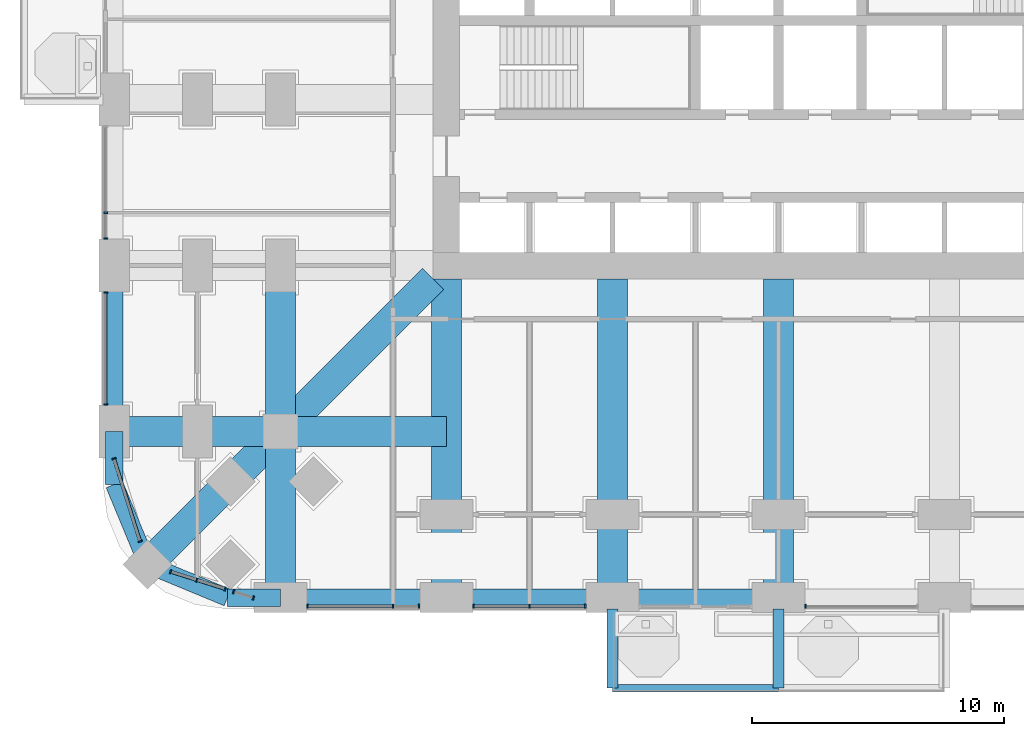
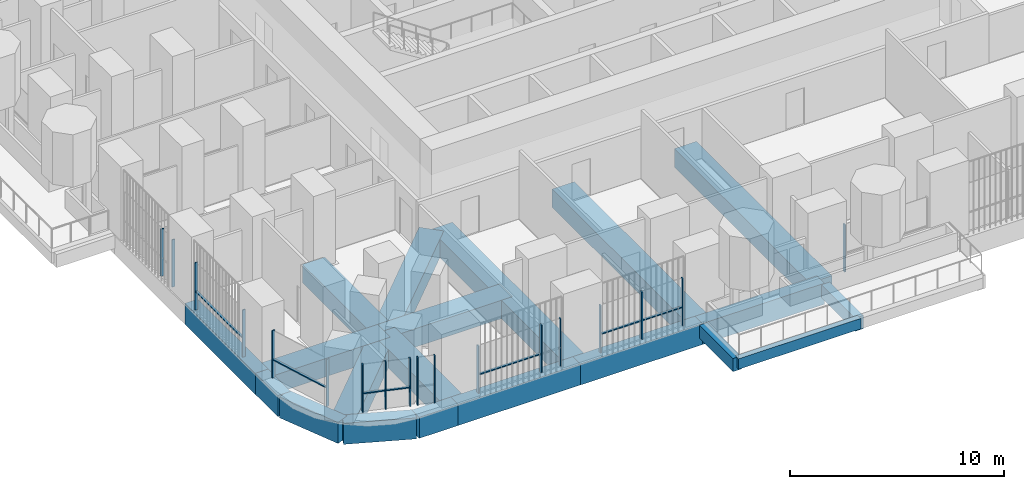
# One storey, part 2 of 26: 25 members, 20 beams, 8 elements without a shape of their own.
"""IFC4 building model written with IfcOpenShell, lengths in metres."""

from ifc_helpers import new_model, si_unit, direction, frame, origin, origin_2d, place, context, subcontext, project, spatial, rectangle, extrude, material, material_profile, profile_set, type_object, element, aggregate, save


model = new_model("IFC4")

# Units and contexts
model_context = context("Model", 3, precision=1e-05, world=origin(), true_north=direction((0.0, 1.0)))
body_context = subcontext(model_context, "Body", "Model", "MODEL_VIEW")
ifc_project = project(units=[si_unit("LENGTHUNIT", "METRE"), si_unit("AREAUNIT", "SQUARE_METRE"), si_unit("VOLUMEUNIT", "CUBIC_METRE"), si_unit("PLANEANGLEUNIT", "RADIAN"), si_unit("MASSUNIT", "GRAM", prefix="KILO")], contexts=[model_context])

# Site, building, storey
site_placement = place(None, origin())
site = spatial("IfcSite", under=ifc_project, at=site_placement, CompositionType="ELEMENT")
building_placement = place(site_placement, origin())
building = spatial("IfcBuilding", under=site, at=building_placement, Name="Cobogo Forest Laboratory Tower", CompositionType="ELEMENT")
storey_placement = place(building_placement, frame((0.0, 0.0, 33.89990234375)))
storey = spatial("IfcBuildingStorey", under=building, at=storey_placement, Name="L07", CompositionType="ELEMENT", Elevation=33.89990234375)

# Beams
ifc_material_1 = material(Name="Concrete HA-40 (C40/50)", Category="concrete")
ifc_material_profile_1 = material_profile(ifc_material_1, rectangle(XDim=0.449951171875, YDim=0.75, at=origin_2d()), Name="RC 450x750")
ifc_profile_set_1 = profile_set([ifc_material_profile_1], Name="Concrete HA-40 (C40/50)")
beam_type_1 = type_object("IfcBeamType", Name="Balcony cantilever beam 450x750", PredefinedType="BEAM", material=ifc_profile_set_1)
for number, where, z_axis, x_axis, name in (
    (1, (19.800048828125, -0.449951171875, -0.625), (0.0, -1.0, 0.0), (1.0, 0.0, 0.0), "CB1 BAL-S1-C1 L07"),
    (2, (26.39990234375, -0.449951171875, -0.625), (0.0, -1.0, 0.0), (1.0, 0.0, 0.0), "CB1 BAL-S1-C2 L07"),
):
    element("IfcBeam", number, at=place(storey_placement, frame(where, z_axis=z_axis, x_axis=x_axis)), inside=storey, type_object=beam_type_1, Name=name, PredefinedType="BEAM", context=body_context, shape_type="SweptSolid", body=[
        extrude(rectangle(XDim=0.449951171875, YDim=0.75, at=origin_2d()), origin(), (0.0, 0.0, 1.0), 3.150146484375),
    ])
ifc_material_profile_2 = material_profile(ifc_material_1, rectangle(XDim=0.300048828125, YDim=0.60009765625, at=origin_2d()), Name="RC 300x600")
ifc_profile_set_2 = profile_set([ifc_material_profile_2], Name="Concrete HA-40 (C40/50)")
beam_type_2 = type_object("IfcBeamType", Name="Balcony edge beam 300x600", PredefinedType="BEAM", material=ifc_profile_set_2)
beam_1_placement = place(storey_placement, frame((19.800048828125, -3.60009765625, -0.5498046875), z_axis=(1.0, 0.0, 0.0), x_axis=(0.0, 1.0, 0.0)))
element("IfcBeam", 3, at=beam_1_placement, inside=storey, type_object=beam_type_2, Name="BB1 BAL-S1-T1 L07", PredefinedType="BEAM", context=body_context, shape_type="SweptSolid", body=[
    extrude(rectangle(XDim=0.300048828125, YDim=0.60009765625, at=origin_2d()), origin(), (0.0, 0.0, 1.0), 6.599853515625),
])
ifc_material_profile_3 = material_profile(ifc_material_1, rectangle(XDim=1.199951171875, YDim=1.050048828125, at=origin_2d()), Name="RC 1200x1050")
ifc_profile_set_3 = profile_set([ifc_material_profile_3], Name="Concrete HA-40 (C40/50)")
beam_type_3 = type_object("IfcBeamType", Name="Laboratory floor wide beam 1200x1050", PredefinedType="BEAM", material=ifc_profile_set_3)
for number, where, z_axis, x_axis, name in (
    (4, (13.199951171875, 12.675048828125, -0.824951171875), (0.0, -1.0, 0.0), (1.0, 0.0, 0.0), "RB1 R-3-S L07"),
    (5, (19.800048828125, 12.675048828125, -0.824951171875), (0.0, -1.0, 0.0), (1.0, 0.0, 0.0), "RB1 R-4-S L07"),
    (6, (26.39990234375, 12.675048828125, -0.824951171875), (0.0, -1.0, 0.0), (1.0, 0.0, 0.0), "RB1 R-5-S L07"),
):
    element("IfcBeam", number, at=place(storey_placement, frame(where, z_axis=z_axis, x_axis=x_axis)), inside=storey, type_object=beam_type_3, Name=name, PredefinedType="BEAM", context=body_context, shape_type="SweptSolid", body=[
        extrude(rectangle(XDim=1.199951171875, YDim=1.050048828125, at=origin_2d()), origin(), (0.0, 0.0, 1.0), 12.675048828125),
    ])
beam_2_placement = place(storey_placement, frame((6.60009765625, 0.0, -0.824951171875), z_axis=(0.0, 1.0, 0.0), x_axis=(-1.0, 0.0, 0.0)))
element("IfcBeam", 7, at=beam_2_placement, inside=storey, type_object=beam_type_3, Name="RB1 G-SW-XF L07", PredefinedType="BEAM", context=body_context, shape_type="SweptSolid", body=[
    extrude(rectangle(XDim=1.199951171875, YDim=1.050048828125, at=origin_2d()), origin(), (0.0, 0.0, 1.0), 6.60009765625),
])
beam_3_placement = place(storey_placement, frame((6.60009765625, 6.60009765625, -0.824951171875), z_axis=(0.0, 1.0, 0.0), x_axis=(-1.0, 0.0, 0.0)))
element("IfcBeam", 8, at=beam_3_placement, inside=storey, type_object=beam_type_3, Name="RB1 G-SW-XC L07", PredefinedType="BEAM", context=body_context, shape_type="SweptSolid", body=[
    extrude(rectangle(XDim=1.199951171875, YDim=1.050048828125, at=origin_2d()), origin(), (0.0, 0.0, 1.0), 6.599853515625),
])
beam_4_placement = place(storey_placement, frame((0.0, 6.60009765625, -0.824951171875), z_axis=(1.0, 0.0, 0.0), x_axis=(0.0, 1.0, 0.0)))
element("IfcBeam", 9, at=beam_4_placement, inside=storey, type_object=beam_type_3, Name="RB1 G-SW-YF L07", PredefinedType="BEAM", context=body_context, shape_type="SweptSolid", body=[
    extrude(rectangle(XDim=1.199951171875, YDim=1.050048828125, at=origin_2d()), origin(), (0.0, 0.0, 1.0), 6.60009765625),
])
beam_5_placement = place(storey_placement, frame((6.60009765625, 6.60009765625, -0.824951171875), z_axis=(1.0, 0.0, 0.0), x_axis=(0.0, 1.0, 0.0)))
element("IfcBeam", 10, at=beam_5_placement, inside=storey, type_object=beam_type_3, Name="RB1 G-SW-YC L07", PredefinedType="BEAM", context=body_context, shape_type="SweptSolid", body=[
    extrude(rectangle(XDim=1.199951171875, YDim=1.050048828125, at=origin_2d()), origin(), (0.0, 0.0, 1.0), 6.599853515625),
])
beam_6_placement = place(storey_placement, frame((1.318115234375, 1.318115234375, -0.824951171875), z_axis=(0.707106781187, 0.707106781187, 0.0), x_axis=(-0.707106781187, 0.707106781187, 0.0)))
element("IfcBeam", 11, at=beam_6_placement, inside=storey, type_object=beam_type_3, Name="RB1 G-SW-D1 L07", PredefinedType="BEAM", context=body_context, shape_type="SweptSolid", body=[
    extrude(rectangle(XDim=1.199951171875, YDim=1.050048828125, at=origin_2d()), origin(), (0.0, 0.0, 1.0), 7.469970703125),
])
beam_7_placement = place(storey_placement, frame((6.60009765625, 6.60009765625, -0.824951171875), z_axis=(0.707106781187, 0.707106781187, 0.0), x_axis=(-0.707106781187, 0.707106781187, 0.0)))
element("IfcBeam", 12, at=beam_7_placement, inside=storey, type_object=beam_type_3, Name="RB1 G-SW-D2 L07", PredefinedType="BEAM", context=body_context, shape_type="SweptSolid", body=[
    extrude(rectangle(XDim=1.199951171875, YDim=1.050048828125, at=origin_2d()), origin(), (0.0, 0.0, 1.0), 8.59130859375),
])

# Curtain wall, members
ifc_material_2 = material(Name="Aluminium curtain wall", Category="aluminium")
curtain_wall_type = type_object("IfcCurtainWallType", Name="CW-1 unitised curtain wall, clear glazing, laboratory floors zones A and B", PredefinedType="USERDEFINED", material=ifc_material_2)
curtain_wall_1_placement = place(storey_placement, origin())
curtain_wall_1 = element("IfcCurtainWall", 13, at=curtain_wall_1_placement, inside=storey, type_object=curtain_wall_type, Name="Curtain wall 01 L07", ObjectType="UNITISED CURTAIN WALL", PredefinedType="USERDEFINED")
ifc_material_3 = material(Name="Aluminium mullion", Category="aluminium")
ifc_material_profile_4 = material_profile(ifc_material_3, rectangle(XDim=0.06005859375, YDim=0.159912109375, at=origin_2d()), Name="AL 60x160")
ifc_profile_set_4 = profile_set([ifc_material_profile_4], Name="Aluminium mullion")
member_type_1 = type_object("IfcMemberType", Name="MU-1 aluminium mullion 60x160", PredefinedType="MULLION", material=ifc_profile_set_4)
member_1_placement = place(storey_placement, frame((7.679931640625, -0.35009765625, 0.0), z_axis=(0.0, 0.0, 1.0), x_axis=(1.0, 0.0, 0.0)))
member_1 = element("IfcMember", 14, at=member_1_placement, type_object=member_type_1, Name="CW-1 mullion 1", PredefinedType="MULLION", context=body_context, shape_type="SweptSolid", body=[
    extrude(rectangle(XDim=0.06005859375, YDim=0.159912109375, at=origin_2d()), origin(), (0.0, 0.0, 1.0), 2.7001953125),
])
member_2_placement = place(storey_placement, frame((11.074951171875, -0.35009765625, 0.0), z_axis=(0.0, 0.0, 1.0), x_axis=(1.0, 0.0, 0.0)))
member_2 = element("IfcMember", 15, at=member_2_placement, type_object=member_type_1, Name="CW-1 mullion 2", PredefinedType="MULLION", context=body_context, shape_type="SweptSolid", body=[
    extrude(rectangle(XDim=0.06005859375, YDim=0.159912109375, at=origin_2d()), origin(), (0.0, 0.0, 1.0), 2.7001953125),
])
member_3_placement = place(storey_placement, frame((12.1201171875, -0.35009765625, 0.0), z_axis=(0.0, 0.0, 1.0), x_axis=(1.0, 0.0, 0.0)))
member_3 = element("IfcMember", 16, at=member_3_placement, type_object=member_type_1, Name="CW-1 mullion 3", PredefinedType="MULLION", context=body_context, shape_type="SweptSolid", body=[
    extrude(rectangle(XDim=0.06005859375, YDim=0.159912109375, at=origin_2d()), origin(), (0.0, 0.0, 1.0), 2.7001953125),
])

curtain_wall_2_placement = place(storey_placement, origin())
curtain_wall_2 = element("IfcCurtainWall", 17, at=curtain_wall_2_placement, inside=storey, type_object=curtain_wall_type, Name="Curtain wall 02 L07", ObjectType="UNITISED CURTAIN WALL", PredefinedType="USERDEFINED")
member_4_placement = place(storey_placement, frame((14.280029296875, -0.35009765625, 0.0), z_axis=(0.0, 0.0, 1.0), x_axis=(1.0, 0.0, 0.0)))
member_4 = element("IfcMember", 18, at=member_4_placement, type_object=member_type_1, Name="CW-1 mullion 1", PredefinedType="MULLION", context=body_context, shape_type="SweptSolid", body=[
    extrude(rectangle(XDim=0.06005859375, YDim=0.159912109375, at=origin_2d()), origin(), (0.0, 0.0, 1.0), 2.7001953125),
])
member_5_placement = place(storey_placement, frame((16.5, -0.35009765625, 0.0), z_axis=(0.0, 0.0, 1.0), x_axis=(1.0, 0.0, 0.0)))
member_5 = element("IfcMember", 19, at=member_5_placement, type_object=member_type_1, Name="CW-1 mullion 2", PredefinedType="MULLION", context=body_context, shape_type="SweptSolid", body=[
    extrude(rectangle(XDim=0.06005859375, YDim=0.159912109375, at=origin_2d()), origin(), (0.0, 0.0, 1.0), 2.7001953125),
])
member_6_placement = place(storey_placement, frame((18.719970703125, -0.35009765625, 0.0), z_axis=(0.0, 0.0, 1.0), x_axis=(1.0, 0.0, 0.0)))
member_6 = element("IfcMember", 20, at=member_6_placement, type_object=member_type_1, Name="CW-1 mullion 3", PredefinedType="MULLION", context=body_context, shape_type="SweptSolid", body=[
    extrude(rectangle(XDim=0.06005859375, YDim=0.159912109375, at=origin_2d()), origin(), (0.0, 0.0, 1.0), 2.7001953125),
])

# Curtain wall, member
curtain_wall_3_placement = place(storey_placement, origin())
curtain_wall_3 = element("IfcCurtainWall", 21, at=curtain_wall_3_placement, inside=storey, type_object=curtain_wall_type, Name="Curtain wall 04 L07", ObjectType="UNITISED CURTAIN WALL", PredefinedType="USERDEFINED")
member_7_placement = place(storey_placement, frame((27.47998046875, -0.35009765625, 0.0), z_axis=(0.0, 0.0, 1.0), x_axis=(1.0, 0.0, 0.0)))
member_7 = element("IfcMember", 22, at=member_7_placement, type_object=member_type_1, Name="CW-1 mullion 1", PredefinedType="MULLION", context=body_context, shape_type="SweptSolid", body=[
    extrude(rectangle(XDim=0.06005859375, YDim=0.159912109375, at=origin_2d()), origin(), (0.0, 0.0, 1.0), 2.7001953125),
])
aggregate(curtain_wall_3, [member_7])

# Curtain wall, members
curtain_wall_4_placement = place(storey_placement, origin())
curtain_wall_4 = element("IfcCurtainWall", 23, at=curtain_wall_4_placement, inside=storey, type_object=curtain_wall_type, Name="Curtain wall 30 L07", ObjectType="UNITISED CURTAIN WALL", PredefinedType="USERDEFINED")
member_8_placement = place(storey_placement, frame((-0.35009765625, 15.300048828125, 0.0), z_axis=(0.0, 0.0, 1.0), x_axis=(0.0, -1.0, 0.0)))
member_8 = element("IfcMember", 24, at=member_8_placement, type_object=member_type_1, Name="CW-1 mullion 2", PredefinedType="MULLION", context=body_context, shape_type="SweptSolid", body=[
    extrude(rectangle(XDim=0.06005859375, YDim=0.159912109375, at=origin_2d()), origin(), (0.0, 0.0, 1.0), 2.7001953125),
])
member_9_placement = place(storey_placement, frame((-0.35009765625, 14.280029296875, 0.0), z_axis=(0.0, 0.0, 1.0), x_axis=(0.0, -1.0, 0.0)))
member_9 = element("IfcMember", 25, at=member_9_placement, type_object=member_type_1, Name="CW-1 mullion 3", PredefinedType="MULLION", context=body_context, shape_type="SweptSolid", body=[
    extrude(rectangle(XDim=0.06005859375, YDim=0.159912109375, at=origin_2d()), origin(), (0.0, 0.0, 1.0), 2.7001953125),
])
aggregate(curtain_wall_4, [member_8, member_9])

curtain_wall_5_placement = place(storey_placement, origin())
curtain_wall_5 = element("IfcCurtainWall", 26, at=curtain_wall_5_placement, inside=storey, type_object=curtain_wall_type, Name="Curtain wall 31 L07", ObjectType="UNITISED CURTAIN WALL", PredefinedType="USERDEFINED")
member_10_placement = place(storey_placement, frame((-0.35009765625, 12.1201171875, 0.0), z_axis=(0.0, 0.0, 1.0), x_axis=(0.0, -1.0, 0.0)))
member_10 = element("IfcMember", 27, at=member_10_placement, type_object=member_type_1, Name="CW-1 mullion 1", PredefinedType="MULLION", context=body_context, shape_type="SweptSolid", body=[
    extrude(rectangle(XDim=0.06005859375, YDim=0.159912109375, at=origin_2d()), origin(), (0.0, 0.0, 1.0), 2.7001953125),
])
member_11_placement = place(storey_placement, frame((-0.35009765625, 7.679931640625, 0.0), z_axis=(0.0, 0.0, 1.0), x_axis=(0.0, -1.0, 0.0)))
member_11 = element("IfcMember", 28, at=member_11_placement, type_object=member_type_1, Name="CW-1 mullion 2", PredefinedType="MULLION", context=body_context, shape_type="SweptSolid", body=[
    extrude(rectangle(XDim=0.06005859375, YDim=0.159912109375, at=origin_2d()), origin(), (0.0, 0.0, 1.0), 2.7001953125),
])

curtain_wall_6_placement = place(storey_placement, origin())
curtain_wall_6 = element("IfcCurtainWall", 29, at=curtain_wall_6_placement, inside=storey, type_object=curtain_wall_type, Name="Curtain wall 32 L07", ObjectType="UNITISED CURTAIN WALL", PredefinedType="USERDEFINED")
member_12_placement = place(storey_placement, frame((-0.00927734375, 5.521484375, 0.0), z_axis=(0.0, 0.0, 1.0), x_axis=(0.30113535792, -0.95358140513, 0.0)))
member_12 = element("IfcMember", 30, at=member_12_placement, type_object=member_type_1, Name="CW-1 mullion 1", PredefinedType="MULLION", context=body_context, shape_type="SweptSolid", body=[
    extrude(rectangle(XDim=0.06005859375, YDim=0.159912109375, at=origin_2d()), origin(), (0.0, 0.0, 1.0), 2.7001953125),
])
member_13_placement = place(storey_placement, frame((1.02734375, 2.23876953125, 0.0), z_axis=(0.0, 0.0, 1.0), x_axis=(0.30113535792, -0.95358140513, 0.0)))
member_13 = element("IfcMember", 31, at=member_13_placement, type_object=member_type_1, Name="CW-1 mullion 2", PredefinedType="MULLION", context=body_context, shape_type="SweptSolid", body=[
    extrude(rectangle(XDim=0.06005859375, YDim=0.159912109375, at=origin_2d()), origin(), (0.0, 0.0, 1.0), 2.7001953125),
])

curtain_wall_7_placement = place(storey_placement, origin())
curtain_wall_7 = element("IfcCurtainWall", 32, at=curtain_wall_7_placement, inside=storey, type_object=curtain_wall_type, Name="Curtain wall 33 L07", ObjectType="UNITISED CURTAIN WALL", PredefinedType="USERDEFINED")
member_14_placement = place(storey_placement, frame((2.23876953125, 1.02734375, 0.0), z_axis=(0.0, 0.0, 1.0), x_axis=(0.953581409645, -0.301135343623, 0.0)))
member_14 = element("IfcMember", 33, at=member_14_placement, type_object=member_type_1, Name="CW-1 mullion 1", PredefinedType="MULLION", context=body_context, shape_type="SweptSolid", body=[
    extrude(rectangle(XDim=0.06005859375, YDim=0.159912109375, at=origin_2d()), origin(), (0.0, 0.0, 1.0), 2.7001953125),
])
member_15_placement = place(storey_placement, frame((3.27587890625, 0.69970703125, 0.0), z_axis=(0.0, 0.0, 1.0), x_axis=(0.953581409645, -0.301135343623, 0.0)))
member_15 = element("IfcMember", 34, at=member_15_placement, type_object=member_type_1, Name="CW-1 mullion 2", PredefinedType="MULLION", context=body_context, shape_type="SweptSolid", body=[
    extrude(rectangle(XDim=0.06005859375, YDim=0.159912109375, at=origin_2d()), origin(), (0.0, 0.0, 1.0), 2.7001953125),
])
member_16_placement = place(storey_placement, frame((4.39697265625, 0.345703125, 0.0), z_axis=(0.0, 0.0, 1.0), x_axis=(0.953581409645, -0.301135343623, 0.0)))
member_16 = element("IfcMember", 35, at=member_16_placement, type_object=member_type_1, Name="CW-1 mullion 3", PredefinedType="MULLION", context=body_context, shape_type="SweptSolid", body=[
    extrude(rectangle(XDim=0.06005859375, YDim=0.159912109375, at=origin_2d()), origin(), (0.0, 0.0, 1.0), 2.7001953125),
])

curtain_wall_8_placement = place(storey_placement, origin())
curtain_wall_8 = element("IfcCurtainWall", 36, at=curtain_wall_8_placement, inside=storey, type_object=curtain_wall_type, Name="Curtain wall 34 L07", ObjectType="UNITISED CURTAIN WALL", PredefinedType="USERDEFINED")
member_17_placement = place(storey_placement, frame((4.74658203125, 0.2353515625, 0.0), z_axis=(0.0, 0.0, 1.0), x_axis=(0.953581504428, -0.301135043481, 0.0)))
member_17 = element("IfcMember", 37, at=member_17_placement, type_object=member_type_1, Name="CW-1 mullion 1", PredefinedType="MULLION", context=body_context, shape_type="SweptSolid", body=[
    extrude(rectangle(XDim=0.06005859375, YDim=0.159912109375, at=origin_2d()), origin(), (0.0, 0.0, 1.0), 2.7001953125),
])
member_18_placement = place(storey_placement, frame((5.521484375, -0.00927734375, 0.0), z_axis=(0.0, 0.0, 1.0), x_axis=(0.953581504428, -0.301135043481, 0.0)))
member_18 = element("IfcMember", 38, at=member_18_placement, type_object=member_type_1, Name="CW-1 mullion 2", PredefinedType="MULLION", context=body_context, shape_type="SweptSolid", body=[
    extrude(rectangle(XDim=0.06005859375, YDim=0.159912109375, at=origin_2d()), origin(), (0.0, 0.0, 1.0), 2.7001953125),
])
aggregate(curtain_wall_8, [member_17, member_18])

# Beams
ifc_material_profile_5 = material_profile(ifc_material_1, rectangle(XDim=0.699951171875, YDim=1.199951171875, at=origin_2d()), Name="RC 700x1200")
ifc_profile_set_5 = profile_set([ifc_material_profile_5], Name="Concrete HA-40 (C40/50)")
beam_type_4 = type_object("IfcBeamType", Name="Perimeter edge beam 700x1200", PredefinedType="BEAM", material=ifc_profile_set_5)
beam_8_placement = place(storey_placement, frame((6.60009765625, 0.0, -0.89990234375), z_axis=(1.0, 0.0, 0.0), x_axis=(0.0, 1.0, 0.0)))
element("IfcBeam", 39, at=beam_8_placement, inside=storey, type_object=beam_type_4, Name="EB1 E-S1 L07", PredefinedType="BEAM", context=body_context, shape_type="SweptSolid", body=[
    extrude(rectangle(XDim=0.699951171875, YDim=1.199951171875, at=origin_2d()), origin(), (0.0, 0.0, 1.0), 6.599853515625),
])
beam_9_placement = place(storey_placement, frame((13.199951171875, 0.0, -0.89990234375), z_axis=(1.0, 0.0, 0.0), x_axis=(0.0, 1.0, 0.0)))
element("IfcBeam", 40, at=beam_9_placement, inside=storey, type_object=beam_type_4, Name="EB1 E-S2 L07", PredefinedType="BEAM", context=body_context, shape_type="SweptSolid", body=[
    extrude(rectangle(XDim=0.699951171875, YDim=1.199951171875, at=origin_2d()), origin(), (0.0, 0.0, 1.0), 6.60009765625),
])
for number, where, z_axis, x_axis, name in (
    (41, (19.800048828125, 0.0, -0.89990234375), (1.0, 0.0, 0.0), (0.0, 1.0, 0.0), "EB1 E-S3 L07"),
    (42, (0.0, 6.60009765625, -0.89990234375), (0.0, 1.0, 0.0), (-1.0, 0.0, 0.0), "EB1 E-W1 L07"),
):
    element("IfcBeam", number, at=place(storey_placement, frame(where, z_axis=z_axis, x_axis=x_axis)), inside=storey, type_object=beam_type_4, Name=name, PredefinedType="BEAM", context=body_context, shape_type="SweptSolid", body=[
        extrude(rectangle(XDim=0.699951171875, YDim=1.199951171875, at=origin_2d()), origin(), (0.0, 0.0, 1.0), 6.599853515625),
    ])
beam_10_placement = place(storey_placement, frame((6.60009765625, 0.0, -0.89990234375), z_axis=(-1.0, 0.0, 0.0), x_axis=(0.0, -1.0, 0.0)))
element("IfcBeam", 43, at=beam_10_placement, inside=storey, type_object=beam_type_4, Name="EB1 E-SWS1 L07", PredefinedType="BEAM", context=body_context, shape_type="SweptSolid", body=[
    extrude(rectangle(XDim=0.699951171875, YDim=1.199951171875, at=origin_2d()), origin(), (0.0, 0.0, 1.0), 2.10009765625),
])
beam_11_placement = place(storey_placement, frame((4.5, 0.0, -0.89990234375), z_axis=(-0.923865631356, 0.382716990999, 0.0), x_axis=(-0.382716990999, -0.923865631356, 0.0)))
element("IfcBeam", 44, at=beam_11_placement, inside=storey, type_object=beam_type_4, Name="EB1 E-SWS2 L07", PredefinedType="BEAM", context=body_context, shape_type="SweptSolid", body=[
    extrude(rectangle(XDim=0.699951171875, YDim=1.199951171875, at=origin_2d()), origin(), (0.0, 0.0, 1.0), 3.444091796875),
])
beam_12_placement = place(storey_placement, frame((0.0, 6.60009765625, -0.89990234375), z_axis=(0.0, -1.0, 0.0), x_axis=(1.0, 0.0, 0.0)))
element("IfcBeam", 45, at=beam_12_placement, inside=storey, type_object=beam_type_4, Name="EB1 E-SWW1 L07", PredefinedType="BEAM", context=body_context, shape_type="SweptSolid", body=[
    extrude(rectangle(XDim=0.699951171875, YDim=1.199951171875, at=origin_2d()), origin(), (0.0, 0.0, 1.0), 2.10009765625),
])
beam_13_placement = place(storey_placement, frame((0.0, 4.5, -0.89990234375), z_axis=(0.382716990999, -0.923865631356, 0.0), x_axis=(0.923865631356, 0.382716990999, 0.0)))
element("IfcBeam", 46, at=beam_13_placement, inside=storey, type_object=beam_type_4, Name="EB1 E-SWW2 L07", PredefinedType="BEAM", context=body_context, shape_type="SweptSolid", body=[
    extrude(rectangle(XDim=0.699951171875, YDim=1.199951171875, at=origin_2d()), origin(), (0.0, 0.0, 1.0), 3.444091796875),
])

# Member
ifc_material_4 = material(Name="Aluminium transom", Category="aluminium")
ifc_material_profile_6 = material_profile(ifc_material_4, rectangle(XDim=0.1201171875, YDim=0.06005859375, at=origin_2d()), Name="AL 60x120")
ifc_profile_set_6 = profile_set([ifc_material_profile_6], Name="Aluminium transom")
member_type_2 = type_object("IfcMemberType", Name="TR-1 aluminium transom 60x120", PredefinedType="USERDEFINED", material=ifc_profile_set_6)
member_19_placement = place(storey_placement, frame((7.7099609375, -0.35009765625, 1.050048828125), z_axis=(1.0, 0.0, 0.0), x_axis=(0.0, 1.0, 0.0)))
member_19 = element("IfcMember", 47, at=member_19_placement, type_object=member_type_2, Name="CW-1 transom 1.1", ObjectType="TRANSOM", PredefinedType="USERDEFINED", context=body_context, shape_type="SweptSolid", body=[
    extrude(rectangle(XDim=0.1201171875, YDim=0.06005859375, at=origin_2d()), origin(), (0.0, 0.0, 1.0), 3.3349609375),
])

aggregate(curtain_wall_1, [member_1, member_2, member_3, member_19])

member_20_placement = place(storey_placement, frame((14.31005859375, -0.35009765625, 1.050048828125), z_axis=(1.0, 0.0, 0.0), x_axis=(0.0, 1.0, 0.0)))
member_20 = element("IfcMember", 48, at=member_20_placement, type_object=member_type_2, Name="CW-1 transom 1.1", ObjectType="TRANSOM", PredefinedType="USERDEFINED", context=body_context, shape_type="SweptSolid", body=[
    extrude(rectangle(XDim=0.1201171875, YDim=0.06005859375, at=origin_2d()), origin(), (0.0, 0.0, 1.0), 2.159912109375),
])

member_21_placement = place(storey_placement, frame((16.530029296875, -0.35009765625, 1.050048828125), z_axis=(1.0, 0.0, 0.0), x_axis=(0.0, 1.0, 0.0)))
member_21 = element("IfcMember", 49, at=member_21_placement, type_object=member_type_2, Name="CW-1 transom 2.1", ObjectType="TRANSOM", PredefinedType="USERDEFINED", context=body_context, shape_type="SweptSolid", body=[
    extrude(rectangle(XDim=0.1201171875, YDim=0.06005859375, at=origin_2d()), origin(), (0.0, 0.0, 1.0), 2.159912109375),
])

aggregate(curtain_wall_2, [member_4, member_5, member_6, member_20, member_21])

member_22_placement = place(storey_placement, frame((-0.35009765625, 12.090087890625, 1.050048828125), z_axis=(0.0, -1.0, 0.0), x_axis=(1.0, 0.0, 0.0)))
member_22 = element("IfcMember", 50, at=member_22_placement, type_object=member_type_2, Name="CW-1 transom 1.1", ObjectType="TRANSOM", PredefinedType="USERDEFINED", context=body_context, shape_type="SweptSolid", body=[
    extrude(rectangle(XDim=0.1201171875, YDim=0.06005859375, at=origin_2d()), origin(), (0.0, 0.0, 1.0), 4.380126953125),
])

aggregate(curtain_wall_5, [member_10, member_11, member_22])

member_23_placement = place(storey_placement, frame((-0.000244140625, 5.49267578125, 1.050048828125), z_axis=(0.301138276922, -0.953580483322, 0.0), x_axis=(0.953580483322, 0.301138276922, 0.0)))
member_23 = element("IfcMember", 51, at=member_23_placement, type_object=member_type_2, Name="CW-1 transom 1.1", ObjectType="TRANSOM", PredefinedType="USERDEFINED", context=body_context, shape_type="SweptSolid", body=[
    extrude(rectangle(XDim=0.1201171875, YDim=0.06005859375, at=origin_2d()), origin(), (0.0, 0.0, 1.0), 3.38232421875),
])

aggregate(curtain_wall_6, [member_12, member_13, member_23])

member_24_placement = place(storey_placement, frame((2.267333984375, 1.018310546875, 1.050048828125), z_axis=(0.953553938535, -0.301222320394, 0.0), x_axis=(0.301222320394, 0.953553938535, 0.0)))
member_24 = element("IfcMember", 52, at=member_24_placement, type_object=member_type_2, Name="CW-1 transom 1.1", ObjectType="TRANSOM", PredefinedType="USERDEFINED", context=body_context, shape_type="SweptSolid", body=[
    extrude(rectangle(XDim=0.1201171875, YDim=0.06005859375, at=origin_2d()), origin(), (0.0, 0.0, 1.0), 1.02783203125),
])

member_25_placement = place(storey_placement, frame((3.304443359375, 0.690673828125, 1.050048828125), z_axis=(0.953595892327, -0.301089478624, 0.0), x_axis=(0.301089478624, 0.953595892327, 0.0)))
member_25 = element("IfcMember", 53, at=member_25_placement, type_object=member_type_2, Name="CW-1 transom 2.1", ObjectType="TRANSOM", PredefinedType="USERDEFINED", context=body_context, shape_type="SweptSolid", body=[
    extrude(rectangle(XDim=0.1201171875, YDim=0.06005859375, at=origin_2d()), origin(), (0.0, 0.0, 1.0), 1.11572265625),
])

aggregate(curtain_wall_7, [member_14, member_15, member_16, member_24, member_25])

save(model, "model.ifc")
